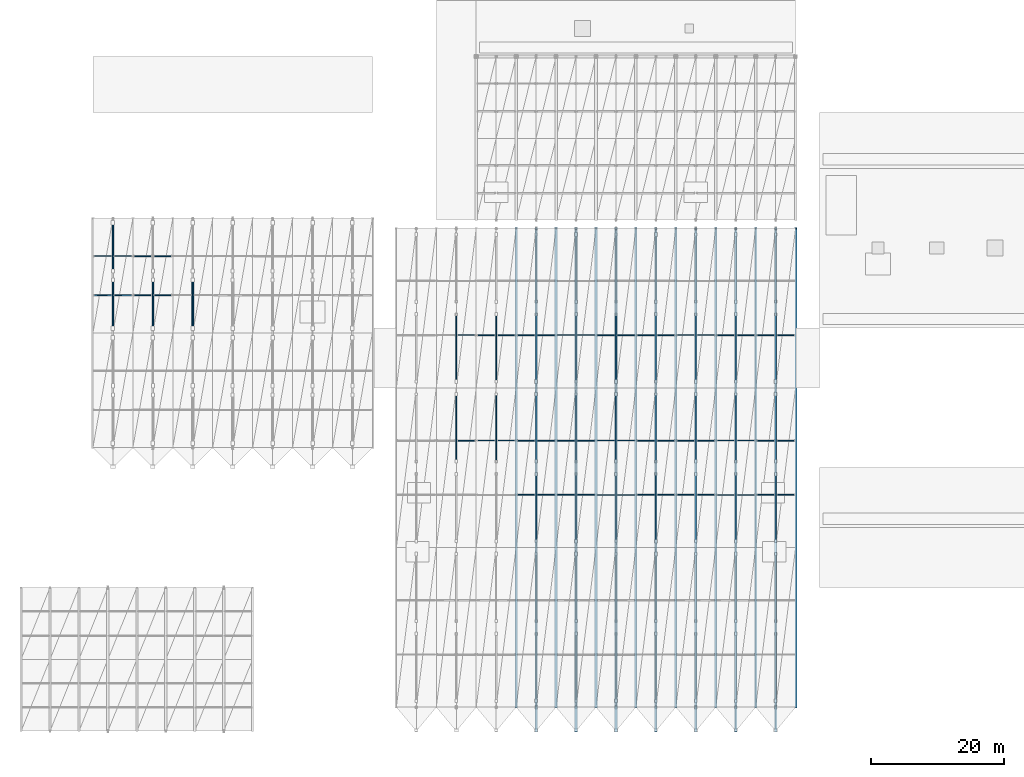
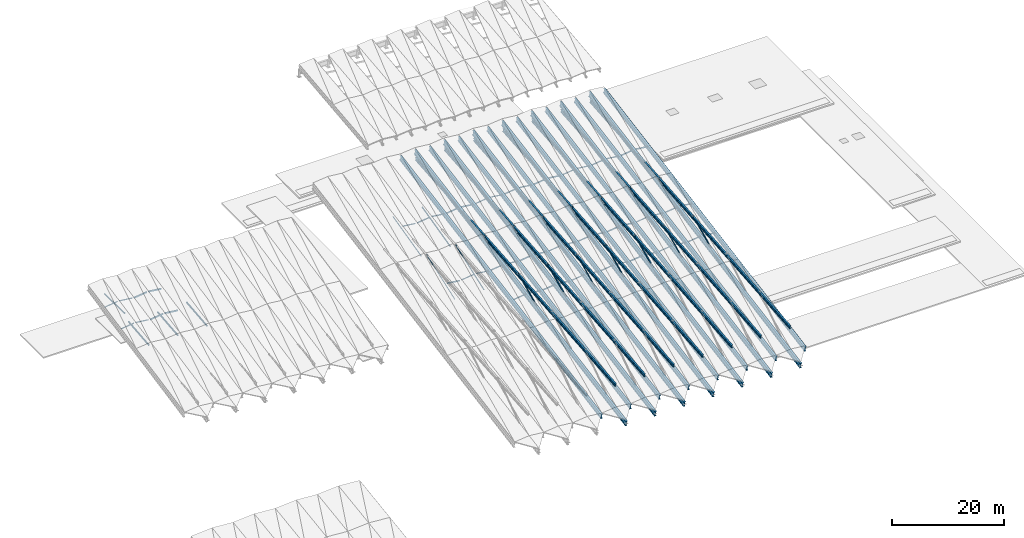
# One storey, part 5 of 52: 92 members, 15 beams.
"""IFC4 building model written with IfcOpenShell, lengths in metres."""

from ifc_helpers import new_model, si_unit, direction, frame, origin, origin_2d, place, context, subcontext, project, spatial, hollow_rectangle, hollow_circle, i_section, extrude, material, material_profile, profile_set, type_object, element, save


model = new_model("IFC4")

# Units and contexts
model_context = context("Model", 3, precision=1e-05, world=origin(), true_north=direction((0.0, 1.0)))
body_context = subcontext(model_context, "Body", "Model", "MODEL_VIEW")
ifc_project = project(units=[si_unit("LENGTHUNIT", "METRE"), si_unit("AREAUNIT", "SQUARE_METRE"), si_unit("VOLUMEUNIT", "CUBIC_METRE"), si_unit("PLANEANGLEUNIT", "RADIAN"), si_unit("MASSUNIT", "GRAM", prefix="KILO")], contexts=[model_context])

# Site, building, storey
site_placement = place(None, origin())
site = spatial("IfcSite", under=ifc_project, at=site_placement, CompositionType="ELEMENT")
building_placement = place(site_placement, origin())
building = spatial("IfcBuilding", under=site, at=building_placement, Name="Vaelkrest Opera House", CompositionType="ELEMENT")
storey_placement = place(building_placement, frame((0.0, 0.0, 41.39990234375)))
storey = spatial("IfcBuildingStorey", under=building, at=storey_placement, Name="ROOF", CompositionType="ELEMENT", Elevation=41.39990234375)

# Beams
ifc_material_1 = material(Name="Steel A992 Gr50", Category="steel")
ifc_material_profile_1 = material_profile(ifc_material_1, i_section(OverallWidth=0.39990234375, OverallDepth=1.02197265625, WebThickness=0.01904296875, FlangeThickness=0.0361328125, at=origin_2d()), Name="W40X249")
ifc_profile_set_1 = profile_set([ifc_material_profile_1], Name="Steel A992 Gr50")
beam_type_1 = type_object("IfcBeamType", Name="B15", PredefinedType="BEAM", material=ifc_profile_set_1)
for number, where, z_axis, x_axis, name in (
    (1, (-12.0, -55.800048828125, -16.98095703125), (0.0, 0.984382983707, 0.176040169816), (-1.0, 0.0, 0.0), "Pleated roof valley rafter V1-06"),
    (2, (-6.0, -55.800048828125, -16.98095703125), (0.0, 0.984382983707, 0.176040169816), (-1.0, 0.0, 0.0), "Pleated roof valley rafter V1-08"),
    (3, (0.0, -55.800048828125, -16.98095703125), (0.0, 0.984382983707, 0.176040169816), (-1.0, 0.0, 0.0), "Pleated roof valley rafter V1-10"),
    (4, (6.0, -55.800048828125, -16.98095703125), (0.0, 0.984382983707, 0.176040169816), (-1.0, 0.0, 0.0), "Pleated roof valley rafter V1-12"),
    (5, (12.0, -55.800048828125, -16.98095703125), (0.0, 0.984382983707, 0.176040169816), (-1.0, 0.0, 0.0), "Pleated roof valley rafter V1-14"),
    (6, (18.0, -55.800048828125, -16.98095703125), (0.0, 0.984382983707, 0.176040169816), (-1.0, 0.0, 0.0), "Pleated roof valley rafter V1-16"),
    (7, (24.0, -55.800048828125, -16.98095703125), (0.0, 0.984382983707, 0.176040169816), (-1.0, 0.0, 0.0), "Pleated roof valley rafter V1-18"),
    (8, (30.0, -55.800048828125, -16.98095703125), (0.0, 0.984382983707, 0.176040169816), (-1.0, 0.0, 0.0), "Pleated roof valley rafter V1-20"),
):
    element("IfcBeam", number, at=place(storey_placement, frame(where, z_axis=z_axis, x_axis=x_axis)), inside=storey, type_object=beam_type_1, Name=name, PredefinedType="BEAM", context=body_context, shape_type="SweptSolid", body=[
        extrude(i_section(OverallWidth=0.39990234375, OverallDepth=1.02197265625, WebThickness=0.01904296875, FlangeThickness=0.0361328125, at=origin_2d()), origin(), (0.0, 0.0, 1.0), 73.142333984375),
    ])
ifc_material_profile_2 = material_profile(ifc_material_1, i_section(OverallWidth=0.405029296875, OverallDepth=1.117919921875, WebThickness=0.02587890625, FlangeThickness=0.044921875, at=origin_2d()), Name="W44X335")
ifc_profile_set_2 = profile_set([ifc_material_profile_2], Name="Steel A992 Gr50")
beam_type_2 = type_object("IfcBeamType", Name="B18", PredefinedType="BEAM", material=ifc_profile_set_2)
for number, where, z_axis, x_axis, name in (
    (9, (-9.0, -59.39990234375, -17.348876953125), (0.0, 0.984382373709, 0.176043580772), (-1.0, 0.0, 0.0), "Pleated roof ridge rafter V1-07"),
    (10, (-3.0, -59.39990234375, -17.348876953125), (0.0, 0.984382373709, 0.176043580772), (-1.0, 0.0, 0.0), "Pleated roof ridge rafter V1-09"),
    (11, (3.0, -59.39990234375, -17.348876953125), (0.0, 0.984382373709, 0.176043580772), (-1.0, 0.0, 0.0), "Pleated roof ridge rafter V1-11"),
    (12, (9.0, -59.39990234375, -17.348876953125), (0.0, 0.984382373709, 0.176043580772), (-1.0, 0.0, 0.0), "Pleated roof ridge rafter V1-13"),
    (13, (15.0, -59.39990234375, -17.348876953125), (0.0, 0.984382373709, 0.176043580772), (-1.0, 0.0, 0.0), "Pleated roof ridge rafter V1-15"),
    (14, (21.0, -59.39990234375, -17.348876953125), (0.0, 0.984382373709, 0.176043580772), (-1.0, 0.0, 0.0), "Pleated roof ridge rafter V1-17"),
    (15, (27.0, -59.39990234375, -17.348876953125), (0.0, 0.984382373709, 0.176043580772), (-1.0, 0.0, 0.0), "Pleated roof ridge rafter V1-19"),
):
    element("IfcBeam", number, at=place(storey_placement, frame(where, z_axis=z_axis, x_axis=x_axis)), inside=storey, type_object=beam_type_2, Name=name, PredefinedType="BEAM", context=body_context, shape_type="SweptSolid", body=[
        extrude(i_section(OverallWidth=0.405029296875, OverallDepth=1.117919921875, WebThickness=0.02587890625, FlangeThickness=0.044921875, at=origin_2d()), origin(), (0.0, 0.0, 1.0), 76.79931640625),
    ])

# Members
ifc_material_2 = material(Name="Steel A500 GrC", Category="steel")
ifc_material_profile_3 = material_profile(ifc_material_2, hollow_circle(Radius=0.084228515625, WallThickness=0.007080078125, at=origin_2d()), Name="HSS168.3X7.1")
ifc_profile_set_3 = profile_set([ifc_material_profile_3], Name="Steel A500 GrC")
member_type_1 = type_object("IfcMemberType", Name="BR01", PredefinedType="BRACE", material=ifc_profile_set_3)
for number, where, z_axis, x_axis, name in (
    (16, (-21.0, -18.840087890625, -10.65380859375), (0.0, 0.940739769889, 0.339129304762), (-1.0, 0.0, 0.0), "Pleated truss web brace V1-03-4"),
    (17, (-3.0, -18.840087890625, -10.65380859375), (0.0, 0.940739769889, 0.339129304762), (-1.0, 0.0, 0.0), "Pleated truss web brace V1-09-4"),
    (18, (15.0, -18.840087890625, -10.65380859375), (0.0, 0.940739769889, 0.339129304762), (-1.0, 0.0, 0.0), "Pleated truss web brace V1-15-4"),
):
    element("IfcMember", number, at=place(storey_placement, frame(where, z_axis=z_axis, x_axis=x_axis)), inside=storey, type_object=member_type_1, Name=name, PredefinedType="BRACE", context=body_context, shape_type="SweptSolid", body=[
        extrude(hollow_circle(Radius=0.084228515625, WallThickness=0.007080078125, at=origin_2d()), origin(), (0.0, 0.0, 1.0), 10.715087890625),
    ])
ifc_material_profile_4 = material_profile(ifc_material_2, hollow_circle(Radius=0.09521484375, WallThickness=0.009521484375, at=origin_2d()), Name="HSS190.5X9.5")
ifc_profile_set_4 = profile_set([ifc_material_profile_4], Name="Steel A500 GrC")
member_type_2 = type_object("IfcMemberType", Name="BR02", PredefinedType="BRACE", material=ifc_profile_set_4)
for number, where, z_axis, x_axis, name in (
    (19, (-21.0, -6.840087890625, -8.5078125), (0.0, 0.970550414284, 0.240898097403), (-1.0, 0.0, 0.0), "Pleated truss web brace V1-03-5"),
    (20, (-3.0, -6.840087890625, -8.5078125), (0.0, 0.970550414284, 0.240898097403), (-1.0, 0.0, 0.0), "Pleated truss web brace V1-09-5"),
):
    element("IfcMember", number, at=place(storey_placement, frame(where, z_axis=z_axis, x_axis=x_axis)), inside=storey, type_object=member_type_2, Name=name, PredefinedType="BRACE", context=body_context, shape_type="SweptSolid", body=[
        extrude(hollow_circle(Radius=0.09521484375, WallThickness=0.009521484375, at=origin_2d()), origin(), (0.0, 0.0, 1.0), 10.385986328125),
    ])
member_1_placement = place(storey_placement, frame((3.0, -30.840087890625, -12.7998046875), z_axis=(0.0, 0.904046576434, 0.427433957047), x_axis=(-1.0, 0.0, 0.0)))
element("IfcMember", 21, at=member_1_placement, inside=storey, type_object=member_type_2, Name="Pleated truss web brace V1-11-3", PredefinedType="BRACE", context=body_context, shape_type="SweptSolid", body=[
    extrude(hollow_circle(Radius=0.09521484375, WallThickness=0.009521484375, at=origin_2d()), origin(), (0.0, 0.0, 1.0), 11.14990234375),
])
member_2_placement = place(storey_placement, frame((15.0, -6.840087890625, -8.5078125), z_axis=(0.0, 0.970550414284, 0.240898097403), x_axis=(-1.0, 0.0, 0.0)))
element("IfcMember", 22, at=member_2_placement, inside=storey, type_object=member_type_2, Name="Pleated truss web brace V1-15-5", PredefinedType="BRACE", context=body_context, shape_type="SweptSolid", body=[
    extrude(hollow_circle(Radius=0.09521484375, WallThickness=0.009521484375, at=origin_2d()), origin(), (0.0, 0.0, 1.0), 10.385986328125),
])
member_3_placement = place(storey_placement, frame((21.0, -30.840087890625, -12.7998046875), z_axis=(0.0, 0.904046576434, 0.427433957047), x_axis=(-1.0, 0.0, 0.0)))
element("IfcMember", 23, at=member_3_placement, inside=storey, type_object=member_type_2, Name="Pleated truss web brace V1-17-3", PredefinedType="BRACE", context=body_context, shape_type="SweptSolid", body=[
    extrude(hollow_circle(Radius=0.09521484375, WallThickness=0.009521484375, at=origin_2d()), origin(), (0.0, 0.0, 1.0), 11.14990234375),
])
ifc_material_profile_5 = material_profile(ifc_material_2, hollow_circle(Radius=0.109619140625, WallThickness=0.009521484375, at=origin_2d()), Name="HSS219.1X9.5")
ifc_profile_set_5 = profile_set([ifc_material_profile_5], Name="Steel A500 GrC")
member_type_3 = type_object("IfcMemberType", Name="BR03", PredefinedType="BRACE", material=ifc_profile_set_5)
for number, where, z_axis, x_axis, name in (
    (24, (-15.0, -18.840087890625, -10.65380859375), (0.0, 0.940739769889, 0.339129304762), (-1.0, 0.0, 0.0), "Pleated truss web brace V1-05-4"),
    (25, (3.0, -18.840087890625, -10.65380859375), (0.0, 0.940739769889, 0.339129304762), (-1.0, 0.0, 0.0), "Pleated truss web brace V1-11-4"),
    (26, (21.0, -18.840087890625, -10.65380859375), (0.0, 0.940739769889, 0.339129304762), (-1.0, 0.0, 0.0), "Pleated truss web brace V1-17-4"),
):
    element("IfcMember", number, at=place(storey_placement, frame(where, z_axis=z_axis, x_axis=x_axis)), inside=storey, type_object=member_type_3, Name=name, PredefinedType="BRACE", context=body_context, shape_type="SweptSolid", body=[
        extrude(hollow_circle(Radius=0.109619140625, WallThickness=0.009521484375, at=origin_2d()), origin(), (0.0, 0.0, 1.0), 10.715087890625),
    ])
ifc_material_profile_6 = material_profile(ifc_material_2, hollow_circle(Radius=0.122314453125, WallThickness=0.0126953125, at=origin_2d()), Name="HSS244.5X12.7")
ifc_profile_set_6 = profile_set([ifc_material_profile_6], Name="Steel A500 GrC")
member_type_4 = type_object("IfcMemberType", Name="BR04", PredefinedType="BRACE", material=ifc_profile_set_6)
member_4_placement = place(storey_placement, frame((-15.0, -6.840087890625, -8.5078125), z_axis=(0.0, 0.970550414284, 0.240898097403), x_axis=(-1.0, 0.0, 0.0)))
element("IfcMember", 27, at=member_4_placement, inside=storey, type_object=member_type_4, Name="Pleated truss web brace V1-05-5", PredefinedType="BRACE", context=body_context, shape_type="SweptSolid", body=[
    extrude(hollow_circle(Radius=0.122314453125, WallThickness=0.0126953125, at=origin_2d()), origin(), (0.0, 0.0, 1.0), 10.385986328125),
])
member_5_placement = place(storey_placement, frame((-9.0, -30.840087890625, -12.7998046875), z_axis=(0.0, 0.904046576434, 0.427433957047), x_axis=(-1.0, 0.0, 0.0)))
element("IfcMember", 28, at=member_5_placement, inside=storey, type_object=member_type_4, Name="Pleated truss web brace V1-07-3", PredefinedType="BRACE", context=body_context, shape_type="SweptSolid", body=[
    extrude(hollow_circle(Radius=0.122314453125, WallThickness=0.0126953125, at=origin_2d()), origin(), (0.0, 0.0, 1.0), 11.14990234375),
])
member_6_placement = place(storey_placement, frame((3.0, -6.840087890625, -8.5078125), z_axis=(0.0, 0.970550414284, 0.240898097403), x_axis=(-1.0, 0.0, 0.0)))
element("IfcMember", 29, at=member_6_placement, inside=storey, type_object=member_type_4, Name="Pleated truss web brace V1-11-5", PredefinedType="BRACE", context=body_context, shape_type="SweptSolid", body=[
    extrude(hollow_circle(Radius=0.122314453125, WallThickness=0.0126953125, at=origin_2d()), origin(), (0.0, 0.0, 1.0), 10.385986328125),
])
member_7_placement = place(storey_placement, frame((9.0, -30.840087890625, -12.7998046875), z_axis=(0.0, 0.904046576434, 0.427433957047), x_axis=(-1.0, 0.0, 0.0)))
element("IfcMember", 30, at=member_7_placement, inside=storey, type_object=member_type_4, Name="Pleated truss web brace V1-13-3", PredefinedType="BRACE", context=body_context, shape_type="SweptSolid", body=[
    extrude(hollow_circle(Radius=0.122314453125, WallThickness=0.0126953125, at=origin_2d()), origin(), (0.0, 0.0, 1.0), 11.14990234375),
])
member_8_placement = place(storey_placement, frame((21.0, -6.840087890625, -8.5078125), z_axis=(0.0, 0.970550414284, 0.240898097403), x_axis=(-1.0, 0.0, 0.0)))
element("IfcMember", 31, at=member_8_placement, inside=storey, type_object=member_type_4, Name="Pleated truss web brace V1-17-5", PredefinedType="BRACE", context=body_context, shape_type="SweptSolid", body=[
    extrude(hollow_circle(Radius=0.122314453125, WallThickness=0.0126953125, at=origin_2d()), origin(), (0.0, 0.0, 1.0), 10.385986328125),
])
member_9_placement = place(storey_placement, frame((27.0, -30.840087890625, -12.7998046875), z_axis=(0.0, 0.904046576434, 0.427433957047), x_axis=(-1.0, 0.0, 0.0)))
element("IfcMember", 32, at=member_9_placement, inside=storey, type_object=member_type_4, Name="Pleated truss web brace V1-19-3", PredefinedType="BRACE", context=body_context, shape_type="SweptSolid", body=[
    extrude(hollow_circle(Radius=0.122314453125, WallThickness=0.0126953125, at=origin_2d()), origin(), (0.0, 0.0, 1.0), 11.14990234375),
])
ifc_material_profile_7 = material_profile(ifc_material_2, hollow_circle(Radius=0.136474609375, WallThickness=0.0126953125, at=origin_2d()), Name="HSS273.1X12.7")
ifc_profile_set_7 = profile_set([ifc_material_profile_7], Name="Steel A500 GrC")
member_type_5 = type_object("IfcMemberType", Name="BR05", PredefinedType="BRACE", material=ifc_profile_set_7)
member_10_placement = place(storey_placement, frame((-72.60009765625, 9.764892578125, -12.97900390625), z_axis=(0.0, 0.999783232085, -0.020820394845), x_axis=(-1.0, 0.0, 0.0)))
element("IfcMember", 33, at=member_10_placement, inside=storey, type_object=member_type_5, Name="Pleated truss web brace V3-01-4", PredefinedType="BRACE", context=body_context, shape_type="SweptSolid", body=[
    extrude(hollow_circle(Radius=0.136474609375, WallThickness=0.0126953125, at=origin_2d()), origin(), (0.0, 0.0, 1.0), 7.24658203125),
])
ifc_material_profile_8 = material_profile(ifc_material_2, hollow_circle(Radius=0.161865234375, WallThickness=0.0126953125, at=origin_2d()), Name="HSS323.9X12.7")
ifc_profile_set_8 = profile_set([ifc_material_profile_8], Name="Steel A500 GrC")
member_type_6 = type_object("IfcMemberType", Name="BR06", PredefinedType="BRACE", material=ifc_profile_set_8)
for number, where, z_axis, x_axis, name in (
    (34, (-72.60009765625, 1.139892578125, -14.697998046875), (0.0, 0.995002605543, 0.099848960753), (-1.0, 0.0, 0.0), "Pleated truss web brace V3-01-3"),
    (35, (-66.60009765625, 1.139892578125, -14.697998046875), (0.0, 0.995002605543, 0.099848960753), (-1.0, 0.0, 0.0), "Pleated truss web brace V3-03-3"),
    (36, (-60.60009765625, 1.139892578125, -14.697998046875), (0.0, 0.995002605543, 0.099848960753), (-1.0, 0.0, 0.0), "Pleated truss web brace V3-05-3"),
):
    element("IfcMember", number, at=place(storey_placement, frame(where, z_axis=z_axis, x_axis=x_axis)), inside=storey, type_object=member_type_6, Name=name, PredefinedType="BRACE", context=body_context, shape_type="SweptSolid", body=[
        extrude(hollow_circle(Radius=0.161865234375, WallThickness=0.0126953125, at=origin_2d()), origin(), (0.0, 0.0, 1.0), 7.281494140625),
    ])
ifc_material_profile_9 = material_profile(ifc_material_2, hollow_rectangle(XDim=0.202880859375, YDim=0.202880859375, WallThickness=0.0126953125, at=origin_2d()), Name="HSS203X203X12.7")
ifc_profile_set_9 = profile_set([ifc_material_profile_9], Name="Steel A500 GrC")
member_type_7 = type_object("IfcMemberType", Name="BR07", PredefinedType="BRACE", material=ifc_profile_set_9)
for number, where, z_axis, x_axis, name in (
    (37, (-9.0, -18.840087890625, -10.65380859375), (0.0, 0.940739769889, 0.339129304762), (-1.0, 0.0, 0.0), "Pleated truss web brace V1-07-4"),
    (38, (9.0, -18.840087890625, -10.65380859375), (0.0, 0.940739769889, 0.339129304762), (-1.0, 0.0, 0.0), "Pleated truss web brace V1-13-4"),
    (39, (27.0, -18.840087890625, -10.65380859375), (0.0, 0.940739769889, 0.339129304762), (-1.0, 0.0, 0.0), "Pleated truss web brace V1-19-4"),
):
    element("IfcMember", number, at=place(storey_placement, frame(where, z_axis=z_axis, x_axis=x_axis)), inside=storey, type_object=member_type_7, Name=name, PredefinedType="BRACE", context=body_context, shape_type="SweptSolid", body=[
        extrude(hollow_rectangle(XDim=0.202880859375, YDim=0.202880859375, WallThickness=0.0126953125, at=origin_2d()), origin(), (0.0, 0.0, 1.0), 10.715087890625),
    ])
ifc_material_profile_10 = material_profile(ifc_material_2, hollow_rectangle(XDim=0.202880859375, YDim=0.25390625, WallThickness=0.0126953125, at=origin_2d()), Name="HSS254X203X12.7")
ifc_profile_set_10 = profile_set([ifc_material_profile_10], Name="Steel A500 GrC")
member_type_8 = type_object("IfcMemberType", Name="BR08", PredefinedType="BRACE", material=ifc_profile_set_10)
member_11_placement = place(storey_placement, frame((-9.0, -6.840087890625, -8.5078125), z_axis=(0.0, 0.970550414284, 0.240898097403), x_axis=(-1.0, 0.0, 0.0)))
element("IfcMember", 40, at=member_11_placement, inside=storey, type_object=member_type_8, Name="Pleated truss web brace V1-07-5", PredefinedType="BRACE", context=body_context, shape_type="SweptSolid", body=[
    extrude(hollow_rectangle(XDim=0.202880859375, YDim=0.25390625, WallThickness=0.0126953125, at=origin_2d()), origin(), (0.0, 0.0, 1.0), 10.385986328125),
])
member_12_placement = place(storey_placement, frame((-3.0, -30.840087890625, -12.7998046875), z_axis=(0.0, 0.904046576434, 0.427433957047), x_axis=(-1.0, 0.0, 0.0)))
element("IfcMember", 41, at=member_12_placement, inside=storey, type_object=member_type_8, Name="Pleated truss web brace V1-09-3", PredefinedType="BRACE", context=body_context, shape_type="SweptSolid", body=[
    extrude(hollow_rectangle(XDim=0.202880859375, YDim=0.25390625, WallThickness=0.0126953125, at=origin_2d()), origin(), (0.0, 0.0, 1.0), 11.14990234375),
])
member_13_placement = place(storey_placement, frame((9.0, -6.840087890625, -8.5078125), z_axis=(0.0, 0.970550414284, 0.240898097403), x_axis=(-1.0, 0.0, 0.0)))
element("IfcMember", 42, at=member_13_placement, inside=storey, type_object=member_type_8, Name="Pleated truss web brace V1-13-5", PredefinedType="BRACE", context=body_context, shape_type="SweptSolid", body=[
    extrude(hollow_rectangle(XDim=0.202880859375, YDim=0.25390625, WallThickness=0.0126953125, at=origin_2d()), origin(), (0.0, 0.0, 1.0), 10.385986328125),
])
member_14_placement = place(storey_placement, frame((15.0, -30.840087890625, -12.7998046875), z_axis=(0.0, 0.904046576434, 0.427433957047), x_axis=(-1.0, 0.0, 0.0)))
element("IfcMember", 43, at=member_14_placement, inside=storey, type_object=member_type_8, Name="Pleated truss web brace V1-15-3", PredefinedType="BRACE", context=body_context, shape_type="SweptSolid", body=[
    extrude(hollow_rectangle(XDim=0.202880859375, YDim=0.25390625, WallThickness=0.0126953125, at=origin_2d()), origin(), (0.0, 0.0, 1.0), 11.14990234375),
])
member_15_placement = place(storey_placement, frame((27.0, -6.840087890625, -8.5078125), z_axis=(0.0, 0.970550414284, 0.240898097403), x_axis=(-1.0, 0.0, 0.0)))
element("IfcMember", 44, at=member_15_placement, inside=storey, type_object=member_type_8, Name="Pleated truss web brace V1-19-5", PredefinedType="BRACE", context=body_context, shape_type="SweptSolid", body=[
    extrude(hollow_rectangle(XDim=0.202880859375, YDim=0.25390625, WallThickness=0.0126953125, at=origin_2d()), origin(), (0.0, 0.0, 1.0), 10.385986328125),
])
ifc_material_profile_11 = material_profile(ifc_material_2, hollow_rectangle(XDim=0.126953125, YDim=0.177978515625, WallThickness=0.009521484375, at=origin_2d()), Name="HSS178X127X9.5")
ifc_profile_set_11 = profile_set([ifc_material_profile_11], Name="Steel A500 GrC")
member_type_9 = type_object("IfcMemberType", Name="PR02", PredefinedType="PURLIN", material=ifc_profile_set_11)
for number, where, z_axis, x_axis, name in (
    (45, (-75.419921875, 6.14306640625, -13.17578125), (0.992553582992, 0.0, 0.121808804645), (0.0, 1.0, 0.0), "Folded roof purlin V3-01-S2-33W"),
    (46, (-72.419921875, 6.14306640625, -12.851806640625), (0.992553582992, 0.0, -0.121808804645), (0.0, 1.0, 0.0), "Folded roof purlin V3-01-S2-33E"),
    (47, (-75.419921875, 12.008056640625, -12.0068359375), (0.992553582992, 0.0, 0.121808804645), (0.0, 1.0, 0.0), "Folded roof purlin V3-01-S2-67W"),
    (48, (-72.419921875, 12.008056640625, -11.682861328125), (0.992553582992, 0.0, -0.121808804645), (0.0, 1.0, 0.0), "Folded roof purlin V3-01-S2-67E"),
):
    element("IfcMember", number, at=place(storey_placement, frame(where, z_axis=z_axis, x_axis=x_axis)), inside=storey, type_object=member_type_9, Name=name, PredefinedType="PURLIN", context=body_context, shape_type="SweptSolid", body=[
        extrude(hollow_rectangle(XDim=0.126953125, YDim=0.177978515625, WallThickness=0.009521484375, at=origin_2d()), origin(), (0.0, 0.0, 1.0), 2.65966796875),
    ])
ifc_material_profile_12 = material_profile(ifc_material_2, hollow_rectangle(XDim=0.10205078125, YDim=0.202880859375, WallThickness=0.0078125, at=origin_2d()), Name="HSS203X102X8")
ifc_profile_set_12 = profile_set([ifc_material_profile_12], Name="Steel A500 GrC")
member_type_10 = type_object("IfcMemberType", Name="PR03", PredefinedType="PURLIN", material=ifc_profile_set_12)
for number, where, z_axis, x_axis, name in (
    (49, (-20.820068359375, 0.1201171875, -6.2578125), (0.992554944769, 0.0, -0.121797707759), (0.0, 1.0, 0.0), "Folded roof purlin V1-02-S3-33E"),
    (50, (-17.820068359375, -15.719970703125, -9.413818359375), (0.992554944769, 0.0, 0.121797707759), (0.0, 1.0, 0.0), "Folded roof purlin V1-03-S2-67W"),
    (51, (-14.820068359375, -15.719970703125, -9.08984375), (0.992554944769, 0.0, -0.121797707759), (0.0, 1.0, 0.0), "Folded roof purlin V1-03-S2-67E"),
    (52, (-5.820068359375, 0.1201171875, -6.581787109375), (0.992554944769, 0.0, 0.121797707759), (0.0, 1.0, 0.0), "Folded roof purlin V1-05-S3-33W"),
    (53, (-2.820068359375, 0.1201171875, -6.2578125), (0.992554944769, 0.0, -0.121797707759), (0.0, 1.0, 0.0), "Folded roof purlin V1-05-S3-33E"),
    (54, (0.179931640625, -23.8798828125, -10.8740234375), (0.992543844891, 0.0, 0.121888128908), (0.0, 1.0, 0.0), "Folded roof purlin V1-06-S2-33W"),
    (55, (3.179931640625, -23.8798828125, -10.5498046875), (0.992543844891, 0.0, -0.121888128908), (0.0, 1.0, 0.0), "Folded roof purlin V1-06-S2-33E"),
    (56, (0.179931640625, -15.719970703125, -9.413818359375), (0.992554944769, 0.0, 0.121797707759), (0.0, 1.0, 0.0), "Folded roof purlin V1-06-S2-67W"),
    (57, (3.179931640625, -15.719970703125, -9.08984375), (0.992554944769, 0.0, -0.121797707759), (0.0, 1.0, 0.0), "Folded roof purlin V1-06-S2-67E"),
    (58, (12.179931640625, 0.1201171875, -6.581787109375), (0.992554944769, 0.0, 0.121797707759), (0.0, 1.0, 0.0), "Folded roof purlin V1-08-S3-33W"),
    (59, (15.179931640625, 0.1201171875, -6.2578125), (0.992554944769, 0.0, -0.121797707759), (0.0, 1.0, 0.0), "Folded roof purlin V1-08-S3-33E"),
    (60, (18.179931640625, -23.8798828125, -10.8740234375), (0.992543844891, 0.0, 0.121888128908), (0.0, 1.0, 0.0), "Folded roof purlin V1-09-S2-33W"),
    (61, (21.179931640625, -23.8798828125, -10.5498046875), (0.992543844891, 0.0, -0.121888128908), (0.0, 1.0, 0.0), "Folded roof purlin V1-09-S2-33E"),
    (62, (18.179931640625, -15.719970703125, -9.413818359375), (0.992554944769, 0.0, 0.121797707759), (0.0, 1.0, 0.0), "Folded roof purlin V1-09-S2-67W"),
    (63, (21.179931640625, -15.719970703125, -9.08984375), (0.992554944769, 0.0, -0.121797707759), (0.0, 1.0, 0.0), "Folded roof purlin V1-09-S2-67E"),
):
    element("IfcMember", number, at=place(storey_placement, frame(where, z_axis=z_axis, x_axis=x_axis)), inside=storey, type_object=member_type_10, Name=name, PredefinedType="PURLIN", context=body_context, shape_type="SweptSolid", body=[
        extrude(hollow_rectangle(XDim=0.10205078125, YDim=0.202880859375, WallThickness=0.0078125, at=origin_2d()), origin(), (0.0, 0.0, 1.0), 2.659912109375),
    ])
ifc_material_profile_13 = material_profile(ifc_material_2, hollow_rectangle(XDim=0.152099609375, YDim=0.202880859375, WallThickness=0.009521484375, at=origin_2d()), Name="HSS203X152X9.5")
ifc_profile_set_13 = profile_set([ifc_material_profile_13], Name="Steel A500 GrC")
member_type_11 = type_object("IfcMemberType", Name="PR04", PredefinedType="PURLIN", material=ifc_profile_set_13)
for number, where, z_axis, x_axis, name in (
    (64, (-17.820068359375, 0.1201171875, -6.581787109375), (0.992554944769, 0.0, 0.121797707759), (0.0, 1.0, 0.0), "Folded roof purlin V1-03-S3-33W"),
    (65, (-14.820068359375, 0.1201171875, -6.2578125), (0.992554944769, 0.0, -0.121797707759), (0.0, 1.0, 0.0), "Folded roof purlin V1-03-S3-33E"),
    (66, (-11.820068359375, -23.8798828125, -10.8740234375), (0.992543844891, 0.0, 0.121888128908), (0.0, 1.0, 0.0), "Folded roof purlin V1-04-S2-33W"),
    (67, (-8.820068359375, -23.8798828125, -10.5498046875), (0.992543844891, 0.0, -0.121888128908), (0.0, 1.0, 0.0), "Folded roof purlin V1-04-S2-33E"),
    (68, (-11.820068359375, -15.719970703125, -9.413818359375), (0.992554944769, 0.0, 0.121797707759), (0.0, 1.0, 0.0), "Folded roof purlin V1-04-S2-67W"),
    (69, (-8.820068359375, -15.719970703125, -9.08984375), (0.992554944769, 0.0, -0.121797707759), (0.0, 1.0, 0.0), "Folded roof purlin V1-04-S2-67E"),
    (70, (0.179931640625, 0.1201171875, -6.581787109375), (0.992554944769, 0.0, 0.121797707759), (0.0, 1.0, 0.0), "Folded roof purlin V1-06-S3-33W"),
    (71, (3.179931640625, 0.1201171875, -6.2578125), (0.992554944769, 0.0, -0.121797707759), (0.0, 1.0, 0.0), "Folded roof purlin V1-06-S3-33E"),
    (72, (6.179931640625, -23.8798828125, -10.8740234375), (0.992543844891, 0.0, 0.121888128908), (0.0, 1.0, 0.0), "Folded roof purlin V1-07-S2-33W"),
    (73, (9.179931640625, -23.8798828125, -10.5498046875), (0.992543844891, 0.0, -0.121888128908), (0.0, 1.0, 0.0), "Folded roof purlin V1-07-S2-33E"),
    (74, (6.179931640625, -15.719970703125, -9.413818359375), (0.992554944769, 0.0, 0.121797707759), (0.0, 1.0, 0.0), "Folded roof purlin V1-07-S2-67W"),
    (75, (9.179931640625, -15.719970703125, -9.08984375), (0.992554944769, 0.0, -0.121797707759), (0.0, 1.0, 0.0), "Folded roof purlin V1-07-S2-67E"),
    (76, (18.179931640625, 0.1201171875, -6.581787109375), (0.992554944769, 0.0, 0.121797707759), (0.0, 1.0, 0.0), "Folded roof purlin V1-09-S3-33W"),
    (77, (21.179931640625, 0.1201171875, -6.2578125), (0.992554944769, 0.0, -0.121797707759), (0.0, 1.0, 0.0), "Folded roof purlin V1-09-S3-33E"),
    (78, (24.179931640625, -23.8798828125, -10.8740234375), (0.992543844891, 0.0, 0.121888128908), (0.0, 1.0, 0.0), "Folded roof purlin V1-10-S2-33W"),
    (79, (27.179931640625, -23.8798828125, -10.5498046875), (0.992543844891, 0.0, -0.121888128908), (0.0, 1.0, 0.0), "Folded roof purlin V1-10-S2-33E"),
    (80, (24.179931640625, -15.719970703125, -9.413818359375), (0.992554944769, 0.0, 0.121797707759), (0.0, 1.0, 0.0), "Folded roof purlin V1-10-S2-67W"),
    (81, (27.179931640625, -15.719970703125, -9.08984375), (0.992554944769, 0.0, -0.121797707759), (0.0, 1.0, 0.0), "Folded roof purlin V1-10-S2-67E"),
):
    element("IfcMember", number, at=place(storey_placement, frame(where, z_axis=z_axis, x_axis=x_axis)), inside=storey, type_object=member_type_11, Name=name, PredefinedType="PURLIN", context=body_context, shape_type="SweptSolid", body=[
        extrude(hollow_rectangle(XDim=0.152099609375, YDim=0.202880859375, WallThickness=0.009521484375, at=origin_2d()), origin(), (0.0, 0.0, 1.0), 2.659912109375),
    ])
ifc_material_profile_14 = material_profile(ifc_material_2, hollow_rectangle(XDim=0.152099609375, YDim=0.25390625, WallThickness=0.009521484375, at=origin_2d()), Name="HSS254X152X9.5")
ifc_profile_set_14 = profile_set([ifc_material_profile_14], Name="Steel A500 GrC")
member_type_12 = type_object("IfcMemberType", Name="PR05", PredefinedType="PURLIN", material=ifc_profile_set_14)
for number, where, z_axis, x_axis, name in (
    (82, (-20.820068359375, -15.719970703125, -9.114990234375), (0.992554944769, 0.0, -0.121797707759), (0.0, 1.0, 0.0), "Folded roof purlin V1-02-S2-67E"),
    (83, (-11.820068359375, 0.1201171875, -6.60693359375), (0.992554944769, 0.0, 0.121797707759), (0.0, 1.0, 0.0), "Folded roof purlin V1-04-S3-33W"),
    (84, (-8.820068359375, 0.1201171875, -6.282958984375), (0.992554944769, 0.0, -0.121797707759), (0.0, 1.0, 0.0), "Folded roof purlin V1-04-S3-33E"),
    (85, (-5.820068359375, -23.8798828125, -10.89892578125), (0.992554944769, 0.0, 0.121797707759), (0.0, 1.0, 0.0), "Folded roof purlin V1-05-S2-33W"),
    (86, (-2.820068359375, -23.8798828125, -10.574951171875), (0.992554944769, 0.0, -0.121797707759), (0.0, 1.0, 0.0), "Folded roof purlin V1-05-S2-33E"),
    (87, (-5.820068359375, -15.719970703125, -9.43896484375), (0.992554944769, 0.0, 0.121797707759), (0.0, 1.0, 0.0), "Folded roof purlin V1-05-S2-67W"),
    (88, (-2.820068359375, -15.719970703125, -9.114990234375), (0.992554944769, 0.0, -0.121797707759), (0.0, 1.0, 0.0), "Folded roof purlin V1-05-S2-67E"),
    (89, (6.179931640625, 0.1201171875, -6.60693359375), (0.992554944769, 0.0, 0.121797707759), (0.0, 1.0, 0.0), "Folded roof purlin V1-07-S3-33W"),
    (90, (9.179931640625, 0.1201171875, -6.282958984375), (0.992554944769, 0.0, -0.121797707759), (0.0, 1.0, 0.0), "Folded roof purlin V1-07-S3-33E"),
    (91, (12.179931640625, -23.8798828125, -10.89892578125), (0.992554944769, 0.0, 0.121797707759), (0.0, 1.0, 0.0), "Folded roof purlin V1-08-S2-33W"),
    (92, (15.179931640625, -23.8798828125, -10.574951171875), (0.992554944769, 0.0, -0.121797707759), (0.0, 1.0, 0.0), "Folded roof purlin V1-08-S2-33E"),
    (93, (12.179931640625, -15.719970703125, -9.43896484375), (0.992554944769, 0.0, 0.121797707759), (0.0, 1.0, 0.0), "Folded roof purlin V1-08-S2-67W"),
    (94, (15.179931640625, -15.719970703125, -9.114990234375), (0.992554944769, 0.0, -0.121797707759), (0.0, 1.0, 0.0), "Folded roof purlin V1-08-S2-67E"),
    (95, (24.179931640625, 0.1201171875, -6.60693359375), (0.992554944769, 0.0, 0.121797707759), (0.0, 1.0, 0.0), "Folded roof purlin V1-10-S3-33W"),
    (96, (27.179931640625, 0.1201171875, -6.282958984375), (0.992554944769, 0.0, -0.121797707759), (0.0, 1.0, 0.0), "Folded roof purlin V1-10-S3-33E"),
):
    element("IfcMember", number, at=place(storey_placement, frame(where, z_axis=z_axis, x_axis=x_axis)), inside=storey, type_object=member_type_12, Name=name, PredefinedType="PURLIN", context=body_context, shape_type="SweptSolid", body=[
        extrude(hollow_rectangle(XDim=0.152099609375, YDim=0.25390625, WallThickness=0.009521484375, at=origin_2d()), origin(), (0.0, 0.0, 1.0), 2.659912109375),
    ])
ifc_material_profile_15 = material_profile(ifc_material_2, hollow_rectangle(XDim=0.152099609375, YDim=0.304931640625, WallThickness=0.0126953125, at=origin_2d()), Name="HSS305X152X12.7")
ifc_profile_set_15 = profile_set([ifc_material_profile_15], Name="Steel A500 GrC")
member_type_13 = type_object("IfcMemberType", Name="PR06", PredefinedType="PURLIN", material=ifc_profile_set_15)
for number, where, z_axis, x_axis, name in (
    (97, (-69.419921875, 6.14306640625, -13.239990234375), (0.992553582992, 0.0, 0.121808804645), (0.0, 1.0, 0.0), "Folded roof purlin V3-02-S2-33W"),
    (98, (-66.419921875, 6.14306640625, -12.916015625), (0.992553582992, 0.0, -0.121808804645), (0.0, 1.0, 0.0), "Folded roof purlin V3-02-S2-33E"),
    (99, (-69.419921875, 12.008056640625, -12.07080078125), (0.992553582992, 0.0, 0.121808804645), (0.0, 1.0, 0.0), "Folded roof purlin V3-02-S2-67W"),
    (100, (-66.419921875, 12.008056640625, -11.746826171875), (0.992553582992, 0.0, -0.121808804645), (0.0, 1.0, 0.0), "Folded roof purlin V3-02-S2-67E"),
):
    element("IfcMember", number, at=place(storey_placement, frame(where, z_axis=z_axis, x_axis=x_axis)), inside=storey, type_object=member_type_13, Name=name, PredefinedType="PURLIN", context=body_context, shape_type="SweptSolid", body=[
        extrude(hollow_rectangle(XDim=0.152099609375, YDim=0.304931640625, WallThickness=0.0126953125, at=origin_2d()), origin(), (0.0, 0.0, 1.0), 2.65966796875),
    ])
ifc_material_profile_16 = material_profile(ifc_material_1, i_section(OverallWidth=0.323974609375, OverallDepth=0.611083984375, WebThickness=0.0126953125, FlangeThickness=0.01904296875, at=origin_2d()), Name="W24X104")
ifc_profile_set_16 = profile_set([ifc_material_profile_16], Name="Steel A992 Gr50")
member_type_14 = type_object("IfcMemberType", Name="TC03", PredefinedType="CHORD", material=ifc_profile_set_16)
for number, where, z_axis, x_axis, name in (
    (101, (-9.0, -55.550048828125, -11.2998046875), (0.0, 0.996399328232, 0.084784306912), (-1.0, 0.0, 0.0), "Pleated truss bottom chord V1-07"),
    (102, (-3.0, -55.550048828125, -11.2998046875), (0.0, 0.996399328232, 0.084784306912), (-1.0, 0.0, 0.0), "Pleated truss bottom chord V1-09"),
    (103, (3.0, -55.550048828125, -11.2998046875), (0.0, 0.996399328232, 0.084784306912), (-1.0, 0.0, 0.0), "Pleated truss bottom chord V1-11"),
    (104, (9.0, -55.550048828125, -11.2998046875), (0.0, 0.996399328232, 0.084784306912), (-1.0, 0.0, 0.0), "Pleated truss bottom chord V1-13"),
    (105, (15.0, -55.550048828125, -11.2998046875), (0.0, 0.996399328232, 0.084784306912), (-1.0, 0.0, 0.0), "Pleated truss bottom chord V1-15"),
    (106, (21.0, -55.550048828125, -11.2998046875), (0.0, 0.996399328232, 0.084784306912), (-1.0, 0.0, 0.0), "Pleated truss bottom chord V1-17"),
    (107, (27.0, -55.550048828125, -11.2998046875), (0.0, 0.996399328232, 0.084784306912), (-1.0, 0.0, 0.0), "Pleated truss bottom chord V1-19"),
):
    element("IfcMember", number, at=place(storey_placement, frame(where, z_axis=z_axis, x_axis=x_axis)), inside=storey, type_object=member_type_14, Name=name, PredefinedType="CHORD", context=body_context, shape_type="SweptSolid", body=[
        extrude(i_section(OverallWidth=0.323974609375, OverallDepth=0.611083984375, WebThickness=0.0126953125, FlangeThickness=0.01904296875, at=origin_2d()), origin(), (0.0, 0.0, 1.0), 71.75830078125),
    ])

save(model, "model.ifc")
